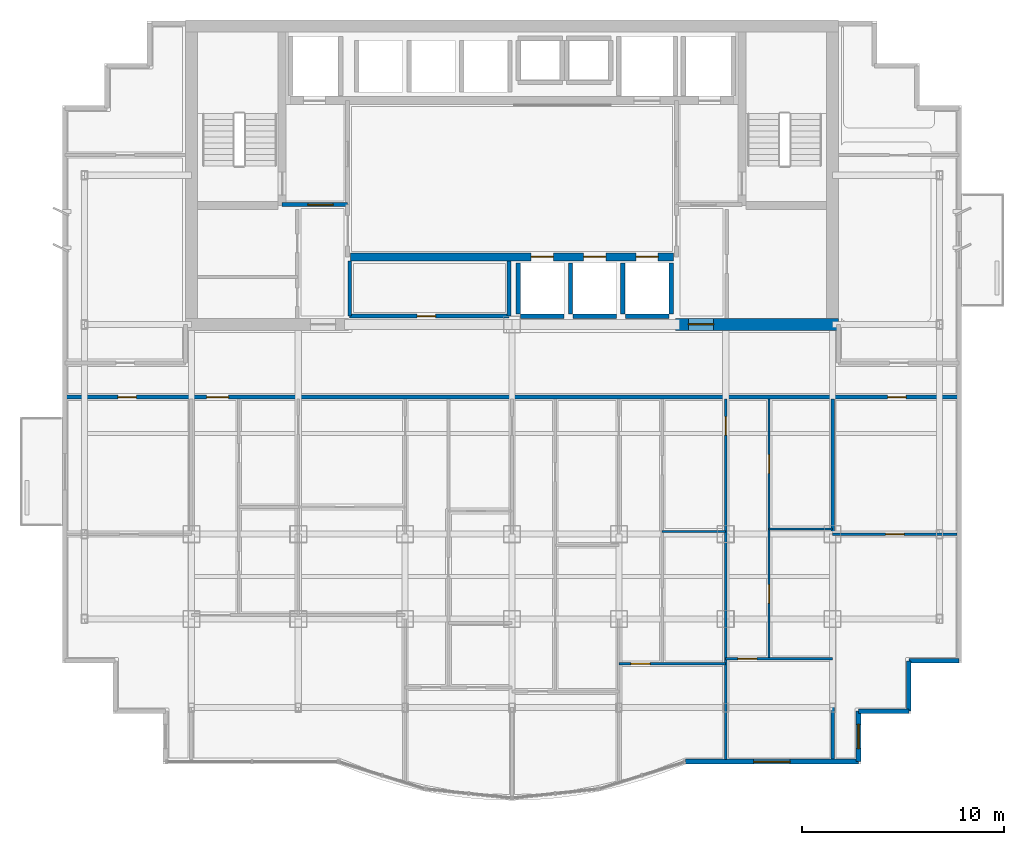
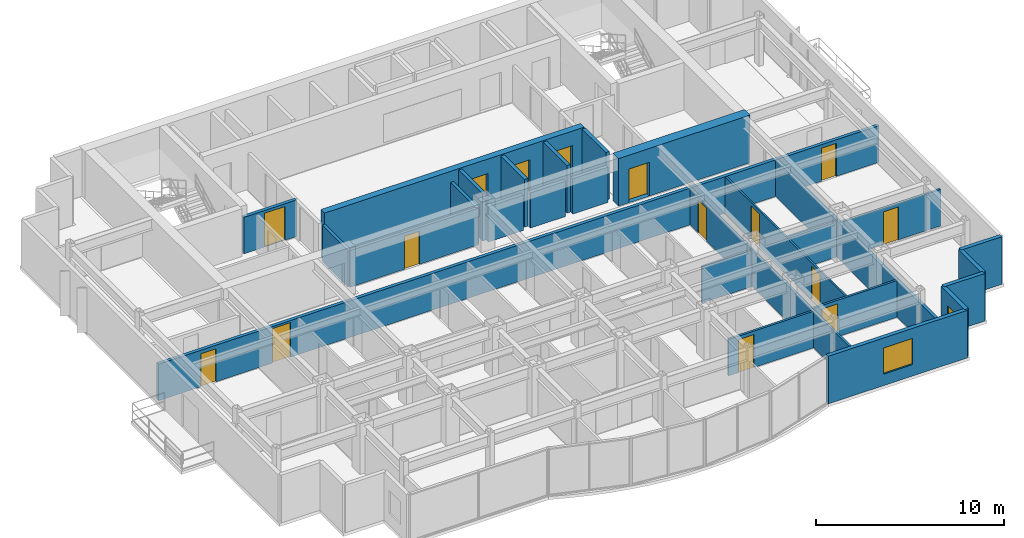
# One storey, part 7 of 11: 27 walls, 15 doors, 2 windows, 17 openings.
"""IFC4 building model written with IfcOpenShell, lengths in metres."""

from ifc_helpers import new_model, si_unit, direction, frame, frame_2d, origin, place, context, subcontext, project, spatial, rectangle, extrude, material, layer, layer_set, type_object, element, fill, save


model = new_model("IFC4")

# Units and contexts
model_context = context("Model", 3, precision=1e-05, world=origin(), true_north=direction((0.0, 1.0)))
body_context = subcontext(model_context, "Body", "Model", "MODEL_VIEW")
ifc_project = project(units=[si_unit("LENGTHUNIT", "METRE"), si_unit("AREAUNIT", "SQUARE_METRE"), si_unit("VOLUMEUNIT", "CUBIC_METRE"), si_unit("PLANEANGLEUNIT", "RADIAN"), si_unit("MASSUNIT", "GRAM", prefix="KILO")], contexts=[model_context])

# Site, building, storey
site_placement = place(None, origin())
site = spatial("IfcSite", under=ifc_project, at=site_placement, CompositionType="ELEMENT")
building_placement = place(site_placement, origin())
building = spatial("IfcBuilding", under=site, at=building_placement, Name="Qianlan Lanfeng Residences", CompositionType="ELEMENT")
storey_placement = place(building_placement, frame((0.0, 0.0, 172.199951171875)))
storey = spatial("IfcBuildingStorey", under=building, at=storey_placement, Name="L47", CompositionType="ELEMENT", Elevation=172.199951171875)

# Wall, openings, doors
ifc_material_1 = material(Name="Concrete C56", Category="concrete")
ifc_layer_1 = layer(ifc_material_1, 0.39990234375)
ifc_layer_set_1 = layer_set([ifc_layer_1], Name="Concrete C56")
wall_type_1 = type_object("IfcWallType", Name="CW-RC-400", PredefinedType="SHEAR", material=ifc_layer_set_1)
wall_1_placement = place(storey_placement, frame((18.5, 28.550048828125, 0.0), z_axis=(0.0, 0.0, 1.0), x_axis=(1.0, 0.0, 0.0)))
wall_1 = element("IfcWall", 1, at=wall_1_placement, inside=storey, type_object=wall_type_1, Name="L47 Core Shear Wall LBS", PredefinedType="SHEAR", context=body_context, shape_type="SweptSolid", body=[
    extrude(rectangle(XDim=16.0, YDim=0.39990234375, at=frame_2d((8.0, 0.0))), origin(), (0.0, 0.0, 1.0), 3.10009765625),
])
opening_1_placement = place(wall_1_placement, frame((8.949951171875, 0.0, 0.0)))
opening_1 = element("IfcOpeningElement", 2, at=opening_1_placement, cuts=wall_1, Name="Opening L47-LD-PL-M1", PredefinedType="OPENING", context=body_context, shape_type="SweptSolid", body=[
    extrude(rectangle(XDim=1.10009765625, YDim=2.14990234375, at=frame_2d((0.550048828125, 1.074951171875))), frame((0.0, 0.2099609375, 0.0), z_axis=(0.0, -1.0, 0.0), x_axis=(1.0, 0.0, 0.0)), (0.0, 0.0, 1.0), 0.419921875),
])
opening_2_placement = place(wall_1_placement, frame((11.550048828125, 0.0, 0.0)))
opening_2 = element("IfcOpeningElement", 3, at=opening_2_placement, cuts=wall_1, Name="Opening L47-LD-PL-M2", PredefinedType="OPENING", context=body_context, shape_type="SweptSolid", body=[
    extrude(rectangle(XDim=1.10009765625, YDim=2.14990234375, at=frame_2d((0.550048828125, 1.074951171875))), frame((0.0, 0.2099609375, 0.0), z_axis=(0.0, -1.0, 0.0), x_axis=(1.0, 0.0, 0.0)), (0.0, 0.0, 1.0), 0.419921875),
])
opening_3_placement = place(wall_1_placement, frame((14.14990234375, 0.0, 0.0)))
opening_3 = element("IfcOpeningElement", 4, at=opening_3_placement, cuts=wall_1, Name="Opening L47-LD-PL-M3", PredefinedType="OPENING", context=body_context, shape_type="SweptSolid", body=[
    extrude(rectangle(XDim=1.10009765625, YDim=2.14990234375, at=frame_2d((0.550048828125, 1.074951171875))), frame((0.0, 0.2099609375, 0.0), z_axis=(0.0, -1.0, 0.0), x_axis=(1.0, 0.0, 0.0)), (0.0, 0.0, 1.0), 0.419921875),
])
ifc_material_2 = material(Name="Brushed Stainless Steel Sliding Lift Door", Category="steel")
door_type_1 = type_object("IfcDoorType", Name="LD-01", OperationType="NOTDEFINED", PredefinedType="DOOR", material=ifc_material_2)
door_1_placement = place(opening_1_placement, origin())
door_1 = element("IfcDoor", 5, at=door_1_placement, inside=storey, type_object=door_type_1, Name="L47 Elevator PL-M1 Sliding Landing Door", OperationType="DOUBLE_DOOR_SLIDING", OverallHeight=2.14990234375, OverallWidth=1.10009765625, PredefinedType="DOOR", context=body_context, shape_type="SweptSolid", body=[
    extrude(rectangle(XDim=1.10009765625, YDim=2.14990234375, at=frame_2d((0.550048828125, 1.074951171875))), frame((0.0, 0.02490234375, 0.0), z_axis=(0.0, -1.0, 0.0), x_axis=(1.0, 0.0, 0.0)), (0.0, 0.0, 1.0), 0.050048828125),
])
fill(opening_1, door_1)
door_2_placement = place(opening_2_placement, origin())
door_2 = element("IfcDoor", 6, at=door_2_placement, inside=storey, type_object=door_type_1, Name="L47 Elevator PL-M2 Sliding Landing Door", OperationType="DOUBLE_DOOR_SLIDING", OverallHeight=2.14990234375, OverallWidth=1.10009765625, PredefinedType="DOOR", context=body_context, shape_type="SweptSolid", body=[
    extrude(rectangle(XDim=1.10009765625, YDim=2.14990234375, at=frame_2d((0.550048828125, 1.074951171875))), frame((0.0, 0.02490234375, 0.0), z_axis=(0.0, -1.0, 0.0), x_axis=(1.0, 0.0, 0.0)), (0.0, 0.0, 1.0), 0.050048828125),
])
fill(opening_2, door_2)
door_3_placement = place(opening_3_placement, origin())
door_3 = element("IfcDoor", 7, at=door_3_placement, inside=storey, type_object=door_type_1, Name="L47 Elevator PL-M3 Sliding Landing Door", OperationType="DOUBLE_DOOR_SLIDING", OverallHeight=2.14990234375, OverallWidth=1.10009765625, PredefinedType="DOOR", context=body_context, shape_type="SweptSolid", body=[
    extrude(rectangle(XDim=1.10009765625, YDim=2.14990234375, at=frame_2d((0.550048828125, 1.074951171875))), frame((0.0, 0.02490234375, 0.0), z_axis=(0.0, -1.0, 0.0), x_axis=(1.0, 0.0, 0.0)), (0.0, 0.0, 1.0), 0.050048828125),
])
fill(opening_3, door_3)

# Wall, opening, door
ifc_layer_2 = layer(ifc_material_1, 0.60009765625)
ifc_layer_set_2 = layer_set([ifc_layer_2], Name="Concrete C56")
wall_type_2 = type_object("IfcWallType", Name="CW-RC-600", PredefinedType="SHEAR", material=ifc_layer_set_2)
wall_2_placement = place(storey_placement, frame((34.60009765625, 25.199951171875, 0.0), z_axis=(0.0, 0.0, 1.0), x_axis=(1.0, 0.0, 0.0)))
wall_2 = element("IfcWall", 8, at=wall_2_placement, inside=storey, type_object=wall_type_2, Name="L47 Core Shear Wall SE", PredefinedType="SHEAR", context=body_context, shape_type="SweptSolid", body=[
    extrude(rectangle(XDim=8.099853515625, YDim=0.60009765625, at=frame_2d((4.0498046875, 0.0))), origin(), (0.0, 0.0, 1.0), 3.10009765625),
])
opening_4_placement = place(wall_2_placement, frame((0.64990234375, 0.0, 0.0)))
opening_4 = element("IfcOpeningElement", 9, at=opening_4_placement, cuts=wall_2, Name="Opening L47-D02", PredefinedType="OPENING", context=body_context, shape_type="SweptSolid", body=[
    extrude(rectangle(XDim=1.25, YDim=2.199951171875, at=frame_2d((0.625, 1.10009765625))), frame((0.0, 0.31005859375, 0.0), z_axis=(0.0, -1.0, 0.0), x_axis=(1.0, 0.0, 0.0)), (0.0, 0.0, 1.0), 0.6201171875),
])
ifc_material_3 = material(Name="Painted Galvanised Steel Fire Door", Category="steel")
door_type_2 = type_object("IfcDoorType", Name="DT-FFL", OperationType="NOTDEFINED", PredefinedType="DOOR", material=ifc_material_3)
door_4_placement = place(opening_4_placement, frame((1.25, 0.0, 0.0), z_axis=(0.0, 0.0, 1.0), x_axis=(-1.0, 0.0, 0.0)))
door_4 = element("IfcDoor", 10, at=door_4_placement, inside=storey, type_object=door_type_2, Name="L47 East Core Lobby Smoke Door L47-D02 (DT-FFL)", OperationType="SINGLE_SWING_LEFT", OverallHeight=2.199951171875, OverallWidth=1.25, PredefinedType="DOOR", context=body_context, shape_type="SweptSolid", body=[
    extrude(rectangle(XDim=1.25, YDim=2.199951171875, at=frame_2d((0.625, 1.10009765625))), frame((0.0, 0.02490234375, 0.0), z_axis=(0.0, -1.0, 0.0), x_axis=(1.0, 0.0, 0.0)), (0.0, 0.0, 1.0), 0.050048828125),
])
fill(opening_4, door_4)

# Wall, opening, window
ifc_material_4 = material(Name="Concrete C42", Category="concrete")
ifc_layer_3 = layer(ifc_material_4, 0.239990234375)
ifc_layer_set_3 = layer_set([ifc_layer_3], Name="Concrete C42")
wall_type_3 = type_object("IfcWallType", Name="EW-240", PredefinedType="SOLIDWALL", material=ifc_layer_set_3)
wall_3_placement = place(storey_placement, frame((35.096923828125, 3.52001953125, 0.0), z_axis=(0.0, 0.0, 1.0), x_axis=(1.0, 0.0, 0.0)))
wall_3 = element("IfcWall", 11, at=wall_3_placement, inside=storey, type_object=wall_type_3, Name="L47 Exterior Facade Spandrel Wall 5", PredefinedType="SOLIDWALL", context=body_context, shape_type="SweptSolid", body=[
    extrude(rectangle(XDim=8.5830078125, YDim=0.239990234375, at=frame_2d((4.29150390625, 0.0))), origin(), (0.0, 0.0, 1.0), 3.10009765625),
])
opening_5_placement = place(wall_3_placement, frame((3.39111328125, 0.0, 0.75)))
opening_5 = element("IfcOpeningElement", 12, at=opening_5_placement, cuts=wall_3, Name="Opening W-01", PredefinedType="OPENING", context=body_context, shape_type="SweptSolid", body=[
    extrude(rectangle(XDim=1.800048828125, YDim=1.699951171875, at=frame_2d((0.89990234375, 0.85009765625))), frame((0.0, 0.1298828125, 0.0), z_axis=(0.0, -1.0, 0.0), x_axis=(1.0, 0.0, 0.0)), (0.0, 0.0, 1.0), 0.260009765625),
])
ifc_material_5 = material(Name="Anodised Bronze Aluminium Framed Double Glazing", Category="aluminium")
window_type_1 = type_object("IfcWindowType", Name="W-01", PartitioningType="SINGLE_PANEL", PredefinedType="WINDOW", material=ifc_material_5)
window_1_placement = place(opening_5_placement, origin())
window_1 = element("IfcWindow", 13, at=window_1_placement, inside=storey, type_object=window_type_1, Name="L47 Facade Punched Window W-01", OverallHeight=1.699951171875, OverallWidth=1.800048828125, PartitioningType="SINGLE_PANEL", PredefinedType="WINDOW", context=body_context, shape_type="SweptSolid", body=[
    extrude(rectangle(XDim=1.800048828125, YDim=1.699951171875, at=frame_2d((0.89990234375, 0.85009765625))), frame((0.0, 0.030029296875, 0.0), z_axis=(0.0, -1.0, 0.0), x_axis=(1.0, 0.0, 0.0)), (0.0, 0.0, 1.0), 0.06005859375),
])
fill(opening_5, window_1)

wall_4_placement = place(storey_placement, frame((43.679931640625, 3.52001953125, 0.0), z_axis=(0.0, 0.0, 1.0), x_axis=(0.0, 1.0, 0.0)))
wall_4 = element("IfcWall", 14, at=wall_4_placement, inside=storey, type_object=wall_type_3, Name="L47 Exterior Facade Spandrel Wall 6", PredefinedType="SOLIDWALL", context=body_context, shape_type="SweptSolid", body=[
    extrude(rectangle(XDim=2.5, YDim=0.239990234375, at=frame_2d((1.25, 0.0))), origin(), (0.0, 0.0, 1.0), 3.10009765625),
])
opening_6_placement = place(wall_4_placement, frame((0.64990234375, 0.0, 0.75)))
opening_6 = element("IfcOpeningElement", 15, at=opening_6_placement, cuts=wall_4, Name="Opening W-03", PredefinedType="OPENING", context=body_context, shape_type="SweptSolid", body=[
    extrude(rectangle(XDim=1.199951171875, YDim=1.5, at=frame_2d((0.60009765625, 0.75))), frame((0.0, 0.1298828125, 0.0), z_axis=(0.0, -1.0, 0.0), x_axis=(1.0, 0.0, 0.0)), (0.0, 0.0, 1.0), 0.260009765625),
])
window_type_2 = type_object("IfcWindowType", Name="W-03", PartitioningType="SINGLE_PANEL", PredefinedType="WINDOW", material=ifc_material_5)
window_2_placement = place(opening_6_placement, origin())
window_2 = element("IfcWindow", 16, at=window_2_placement, inside=storey, type_object=window_type_2, Name="L47 Facade Punched Window W-03", OverallHeight=1.5, OverallWidth=1.199951171875, PartitioningType="SINGLE_PANEL", PredefinedType="WINDOW", context=body_context, shape_type="SweptSolid", body=[
    extrude(rectangle(XDim=1.199951171875, YDim=1.5, at=frame_2d((0.60009765625, 0.75))), frame((0.0, 0.030029296875, 0.0), z_axis=(0.0, -1.0, 0.0), x_axis=(1.0, 0.0, 0.0)), (0.0, 0.0, 1.0), 0.06005859375),
])
fill(opening_6, window_2)

# Walls
for number, where, z_axis, x_axis, name in (
    (17, (43.679931640625, 6.02001953125, 0.0), (0.0, 0.0, 1.0), (1.0, 0.0, 0.0), "L47 Exterior Facade Spandrel Wall 7"),
    (18, (46.179931640625, 6.02001953125, 0.0), (0.0, 0.0, 1.0), (0.0, 1.0, 0.0), "L47 Exterior Facade Spandrel Wall 8"),
    (19, (46.179931640625, 8.52001953125, 0.0), (0.0, 0.0, 1.0), (1.0, 0.0, 0.0), "L47 Exterior Facade Spandrel Wall 9"),
):
    element("IfcWall", number, at=place(storey_placement, frame(where, z_axis=z_axis, x_axis=x_axis)), inside=storey, type_object=wall_type_3, Name=name, PredefinedType="SOLIDWALL", context=body_context, shape_type="SweptSolid", body=[
        extrude(rectangle(XDim=2.5, YDim=0.239990234375, at=frame_2d((1.25, 0.0))), origin(), (0.0, 0.0, 1.0), 3.10009765625),
    ])
ifc_material_6 = material(Name="Demountable Acoustic Framing Partition 110 mm")
ifc_layer_4 = layer(ifc_material_6, 0.110107421875)
ifc_layer_set_4 = layer_set([ifc_layer_4], Name="Demountable Acoustic Framing Partition 110 mm")
wall_type_4 = type_object("IfcWallType", Name="PW-110", PredefinedType="MOVABLE", material=ifc_layer_set_4)
wall_5_placement = place(storey_placement, frame((33.949951171875, 14.93701171875, 0.0), z_axis=(0.0, 0.0, 1.0), x_axis=(1.0, 0.0, 0.0)))
element("IfcWall", 20, at=wall_5_placement, inside=storey, type_object=wall_type_4, Name="L47 U01 Specialty Split Wall", PredefinedType="MOVABLE", context=body_context, shape_type="SweptSolid", body=[
    extrude(rectangle(XDim=3.150146484375, YDim=0.110107421875, at=frame_2d((1.5751953125, 0.0))), origin(), (0.0, 0.0, 1.0), 2.380126953125),
])

# Wall, openings, doors
wall_6_placement = place(storey_placement, frame((39.25, 8.6201171875, 0.0), z_axis=(0.0, 0.0, 1.0), x_axis=(0.0, 1.0, 0.0)))
wall_6 = element("IfcWall", 21, at=wall_6_placement, inside=storey, type_object=wall_type_4, Name="L47 U01 Bedroom 5 Hall Wall", PredefinedType="MOVABLE", context=body_context, shape_type="SweptSolid", body=[
    extrude(rectangle(XDim=12.8798828125, YDim=0.110107421875, at=frame_2d((6.43994140625, 0.0))), origin(), (0.0, 0.0, 1.0), 2.380126953125),
])
opening_7_placement = place(wall_6_placement, frame((2.760009765625, 0.0, 0.0)))
opening_7 = element("IfcOpeningElement", 22, at=opening_7_placement, cuts=wall_6, Name="Opening L47-D36", PredefinedType="OPENING", context=body_context, shape_type="SweptSolid", body=[
    extrude(rectangle(XDim=0.919921875, YDim=2.14990234375, at=frame_2d((0.4599609375, 1.074951171875))), frame((0.0, 0.06494140625, 0.0), z_axis=(0.0, -1.0, 0.0), x_axis=(1.0, 0.0, 0.0)), (0.0, 0.0, 1.0), 0.130126953125),
])
opening_8_placement = place(wall_6_placement, frame((9.199951171875, 0.0, 0.0)))
opening_8 = element("IfcOpeningElement", 23, at=opening_8_placement, cuts=wall_6, Name="Opening L47-D37", PredefinedType="OPENING", context=body_context, shape_type="SweptSolid", body=[
    extrude(rectangle(XDim=0.919921875, YDim=2.14990234375, at=frame_2d((0.4599609375, 1.074951171875))), frame((0.0, 0.06494140625, 0.0), z_axis=(0.0, -1.0, 0.0), x_axis=(1.0, 0.0, 0.0)), (0.0, 0.0, 1.0), 0.130126953125),
])
ifc_material_7 = material(Name="Glazed Timber Kitchen/Study Door", Category="wood")
door_type_3 = type_object("IfcDoorType", Name="DT-INT", OperationType="NOTDEFINED", PredefinedType="DOOR", material=ifc_material_7)
door_5_placement = place(opening_7_placement, origin())
door_5 = element("IfcDoor", 24, at=door_5_placement, inside=storey, type_object=door_type_3, Name="L47 U01 Utility Door L47-D36 (DT-INT)", OperationType="SINGLE_SWING_RIGHT", OverallHeight=2.14990234375, OverallWidth=0.919921875, PredefinedType="DOOR", context=body_context, shape_type="SweptSolid", body=[
    extrude(rectangle(XDim=0.919921875, YDim=2.14990234375, at=frame_2d((0.4599609375, 1.074951171875))), frame((0.0, 0.02490234375, 0.0), z_axis=(0.0, -1.0, 0.0), x_axis=(1.0, 0.0, 0.0)), (0.0, 0.0, 1.0), 0.050048828125),
])
fill(opening_7, door_5)
door_6_placement = place(opening_8_placement, origin())
door_6 = element("IfcDoor", 25, at=door_6_placement, inside=storey, type_object=door_type_3, Name="L47 U01 Specialty Door L47-D37 (DT-INT)", OperationType="SINGLE_SWING_LEFT", OverallHeight=2.14990234375, OverallWidth=0.919921875, PredefinedType="DOOR", context=body_context, shape_type="SweptSolid", body=[
    extrude(rectangle(XDim=0.919921875, YDim=2.14990234375, at=frame_2d((0.4599609375, 1.074951171875))), frame((0.0, 0.02490234375, 0.0), z_axis=(0.0, -1.0, 0.0), x_axis=(1.0, 0.0, 0.0)), (0.0, 0.0, 1.0), 0.050048828125),
])
fill(opening_8, door_6)

# Wall
wall_7_placement = place(storey_placement, frame((39.25, 15.06005859375, 0.0), z_axis=(0.0, 0.0, 1.0), x_axis=(1.0, 0.0, 0.0)))
element("IfcWall", 26, at=wall_7_placement, inside=storey, type_object=wall_type_4, Name="L47 U01 Specialty Split Wall", PredefinedType="MOVABLE", context=body_context, shape_type="SweptSolid", body=[
    extrude(rectangle(XDim=3.14990234375, YDim=0.110107421875, at=frame_2d((1.574951171875, 0.0))), origin(), (0.0, 0.0, 1.0), 2.380126953125),
])

# Wall, opening, door
ifc_material_8 = material(Name="Moisture-Resistant Gypsum Partition 135 mm")
ifc_layer_5 = layer(ifc_material_8, 0.135009765625)
ifc_layer_set_5 = layer_set([ifc_layer_5], Name="Moisture-Resistant Gypsum Partition 135 mm")
wall_type_5 = type_object("IfcWallType", Name="PW-135", PredefinedType="PARTITIONING", material=ifc_layer_set_5)
wall_8_placement = place(storey_placement, frame((37.10009765625, 3.6201171875, 0.0), z_axis=(0.0, 0.0, 1.0), x_axis=(0.0, 1.0, 0.0)))
wall_8 = element("IfcWall", 27, at=wall_8_placement, inside=storey, type_object=wall_type_5, Name="L47 U01 Bay Spine Wall 5", PredefinedType="PARTITIONING", context=body_context, shape_type="SweptSolid", body=[
    extrude(rectangle(XDim=17.8798828125, YDim=0.135009765625, at=frame_2d((8.93994140625, 0.0))), origin(), (0.0, 0.0, 1.0), 2.380126953125),
])
opening_9_placement = place(wall_8_placement, frame((16.094970703125, 0.0, 0.0)))
opening_9 = element("IfcOpeningElement", 28, at=opening_9_placement, cuts=wall_8, Name="Opening L47-D20", PredefinedType="OPENING", context=body_context, shape_type="SweptSolid", body=[
    extrude(rectangle(XDim=0.919921875, YDim=2.14990234375, at=frame_2d((0.4599609375, 1.074951171875))), frame((0.0, 0.07763671875, 0.0), z_axis=(0.0, -1.0, 0.0), x_axis=(1.0, 0.0, 0.0)), (0.0, 0.0, 1.0), 0.155029296875),
])
door_7_placement = place(opening_9_placement, origin())
door_7 = element("IfcDoor", 29, at=door_7_placement, inside=storey, type_object=door_type_3, Name="L47 U01 Internal Hall Door L47-D20 (DT-INT)", OperationType="SINGLE_SWING_RIGHT", OverallHeight=2.14990234375, OverallWidth=0.919921875, PredefinedType="DOOR", context=body_context, shape_type="SweptSolid", body=[
    extrude(rectangle(XDim=0.919921875, YDim=2.14990234375, at=frame_2d((0.4599609375, 1.074951171875))), frame((0.0, 0.02490234375, 0.0), z_axis=(0.0, -1.0, 0.0), x_axis=(1.0, 0.0, 0.0)), (0.0, 0.0, 1.0), 0.050048828125),
])
fill(opening_9, door_7)

wall_9_placement = place(storey_placement, frame((31.800048828125, 8.3740234375, 0.0), z_axis=(0.0, 0.0, 1.0), x_axis=(1.0, 0.0, 0.0)))
wall_9 = element("IfcWall", 30, at=wall_9_placement, inside=storey, type_object=wall_type_5, Name="L47 U01 Bedroom 4 North Wall", PredefinedType="PARTITIONING", context=body_context, shape_type="SweptSolid", body=[
    extrude(rectangle(XDim=5.300048828125, YDim=0.135009765625, at=frame_2d((2.64990234375, 0.0))), origin(), (0.0, 0.0, 1.0), 2.380126953125),
])
opening_10_placement = place(wall_9_placement, frame((0.60009765625, 0.0, 0.0)))
opening_10 = element("IfcOpeningElement", 31, at=opening_10_placement, cuts=wall_9, Name="Opening L47-D32", PredefinedType="OPENING", context=body_context, shape_type="SweptSolid", body=[
    extrude(rectangle(XDim=0.949951171875, YDim=2.14990234375, at=frame_2d((0.47509765625, 1.074951171875))), frame((0.0, 0.07763671875, 0.0), z_axis=(0.0, -1.0, 0.0), x_axis=(1.0, 0.0, 0.0)), (0.0, 0.0, 1.0), 0.155029296875),
])
ifc_material_9 = material(Name="Painted Solid-Core Timber Leaf", Category="wood")
door_type_4 = type_object("IfcDoorType", Name="DT-BED", OperationType="NOTDEFINED", PredefinedType="DOOR", material=ifc_material_9)
door_8_placement = place(opening_10_placement, frame((0.949951171875, 0.0, 0.0), z_axis=(0.0, 0.0, 1.0), x_axis=(-1.0, 0.0, 0.0)))
door_8 = element("IfcDoor", 32, at=door_8_placement, inside=storey, type_object=door_type_4, Name="L47 U01 Bedroom 4 Door L47-D32 (DT-BED)", OperationType="SINGLE_SWING_RIGHT", OverallHeight=2.14990234375, OverallWidth=0.949951171875, PredefinedType="DOOR", context=body_context, shape_type="SweptSolid", body=[
    extrude(rectangle(XDim=0.949951171875, YDim=2.14990234375, at=frame_2d((0.47509765625, 1.074951171875))), frame((0.0, 0.02490234375, 0.0), z_axis=(0.0, -1.0, 0.0), x_axis=(1.0, 0.0, 0.0)), (0.0, 0.0, 1.0), 0.050048828125),
])
fill(opening_10, door_8)

wall_10_placement = place(storey_placement, frame((37.10009765625, 8.6201171875, 0.0), z_axis=(0.0, 0.0, 1.0), x_axis=(1.0, 0.0, 0.0)))
wall_10 = element("IfcWall", 33, at=wall_10_placement, inside=storey, type_object=wall_type_5, Name="L47 U01 Bedroom 5 North Wall", PredefinedType="PARTITIONING", context=body_context, shape_type="SweptSolid", body=[
    extrude(rectangle(XDim=5.2998046875, YDim=0.135009765625, at=frame_2d((2.64990234375, 0.0))), origin(), (0.0, 0.0, 1.0), 2.380126953125),
])
opening_11_placement = place(wall_10_placement, frame((0.60009765625, 0.0, 0.0)))
opening_11 = element("IfcOpeningElement", 34, at=opening_11_placement, cuts=wall_10, Name="Opening L47-D35", PredefinedType="OPENING", context=body_context, shape_type="SweptSolid", body=[
    extrude(rectangle(XDim=0.949951171875, YDim=2.14990234375, at=frame_2d((0.47509765625, 1.074951171875))), frame((0.0, 0.07763671875, 0.0), z_axis=(0.0, -1.0, 0.0), x_axis=(1.0, 0.0, 0.0)), (0.0, 0.0, 1.0), 0.155029296875),
])
door_9_placement = place(opening_11_placement, frame((0.949951171875, 0.0, 0.0), z_axis=(0.0, 0.0, 1.0), x_axis=(-1.0, 0.0, 0.0)))
door_9 = element("IfcDoor", 35, at=door_9_placement, inside=storey, type_object=door_type_4, Name="L47 U01 Bedroom 5 Door L47-D35 (DT-BED)", OperationType="SINGLE_SWING_RIGHT", OverallHeight=2.14990234375, OverallWidth=0.949951171875, PredefinedType="DOOR", context=body_context, shape_type="SweptSolid", body=[
    extrude(rectangle(XDim=0.949951171875, YDim=2.14990234375, at=frame_2d((0.47509765625, 1.074951171875))), frame((0.0, 0.02490234375, 0.0), z_axis=(0.0, -1.0, 0.0), x_axis=(1.0, 0.0, 0.0)), (0.0, 0.0, 1.0), 0.050048828125),
])
fill(opening_11, door_9)

wall_11_placement = place(storey_placement, frame((42.39990234375, 14.800048828125, 0.0), z_axis=(0.0, 0.0, 1.0), x_axis=(1.0, 0.0, 0.0)))
wall_11 = element("IfcWall", 36, at=wall_11_placement, inside=storey, type_object=wall_type_5, Name="L47 SEP Mid Partition", PredefinedType="PARTITIONING", context=body_context, shape_type="SweptSolid", body=[
    extrude(rectangle(XDim=6.18017578125, YDim=0.135009765625, at=frame_2d((3.090087890625, 0.0))), origin(), (0.0, 0.0, 1.0), 2.380126953125),
])
opening_12_placement = place(wall_11_placement, frame((2.6298828125, 0.0, 0.0)))
opening_12 = element("IfcOpeningElement", 37, at=opening_12_placement, cuts=wall_11, Name="Opening L47-D40", PredefinedType="OPENING", context=body_context, shape_type="SweptSolid", body=[
    extrude(rectangle(XDim=0.919921875, YDim=2.14990234375, at=frame_2d((0.4599609375, 1.074951171875))), frame((0.0, 0.07763671875, 0.0), z_axis=(0.0, -1.0, 0.0), x_axis=(1.0, 0.0, 0.0)), (0.0, 0.0, 1.0), 0.155029296875),
])
door_10_placement = place(opening_12_placement, origin())
door_10 = element("IfcDoor", 38, at=door_10_placement, inside=storey, type_object=door_type_3, Name="L47 SEP Inner Door L47-D40 (DT-INT)", OperationType="SINGLE_SWING_RIGHT", OverallHeight=2.14990234375, OverallWidth=0.919921875, PredefinedType="DOOR", context=body_context, shape_type="SweptSolid", body=[
    extrude(rectangle(XDim=0.919921875, YDim=2.14990234375, at=frame_2d((0.4599609375, 1.074951171875))), frame((0.0, 0.02490234375, 0.0), z_axis=(0.0, -1.0, 0.0), x_axis=(1.0, 0.0, 0.0)), (0.0, 0.0, 1.0), 0.050048828125),
])
fill(opening_12, door_10)

# Walls
ifc_material_10 = material(Name="Double-Layer Acoustic Gypsum Stud Wall 180 mm")
ifc_layer_6 = layer(ifc_material_10, 0.179931640625)
ifc_layer_set_6 = layer_set([ifc_layer_6], Name="Double-Layer Acoustic Gypsum Stud Wall 180 mm")
wall_type_6 = type_object("IfcWallType", Name="PW-180", PredefinedType="PARTITIONING", material=ifc_layer_set_6)
for number, where, z_axis, x_axis, name in (
    (39, (18.449951171875, 25.6201171875, 0.0), (0.0, 0.0, 1.0), (0.0, 1.0, 0.0), "L47 Reclaimed Low-Bank Room West Wall"),
    (40, (26.35009765625, 25.6201171875, 0.0), (0.0, 0.0, 1.0), (0.0, 1.0, 0.0), "L47 Reclaimed Low-Bank Room East Wall"),
):
    element("IfcWall", number, at=place(storey_placement, frame(where, z_axis=z_axis, x_axis=x_axis)), inside=storey, type_object=wall_type_6, Name=name, PredefinedType="PARTITIONING", context=body_context, shape_type="SweptSolid", body=[
        extrude(rectangle(XDim=2.72998046875, YDim=0.179931640625, at=frame_2d((1.364990234375, 0.0))), origin(), (0.0, 0.0, 1.0), 2.380126953125),
    ])

# Wall, opening, door
wall_12_placement = place(storey_placement, frame((18.449951171875, 25.6201171875, 0.0), z_axis=(0.0, 0.0, 1.0), x_axis=(1.0, 0.0, 0.0)))
wall_12 = element("IfcWall", 41, at=wall_12_placement, inside=storey, type_object=wall_type_6, Name="L47 Reclaimed Low-Bank Room South Wall", PredefinedType="PARTITIONING", context=body_context, shape_type="SweptSolid", body=[
    extrude(rectangle(XDim=7.900146484375, YDim=0.179931640625, at=frame_2d((3.9501953125, 0.0))), origin(), (0.0, 0.0, 1.0), 2.380126953125),
])
opening_13_placement = place(wall_12_placement, frame((3.340087890625, 0.0, 0.0)))
opening_13 = element("IfcOpeningElement", 42, at=opening_13_placement, cuts=wall_12, Name="Opening L47-D14", PredefinedType="OPENING", context=body_context, shape_type="SweptSolid", body=[
    extrude(rectangle(XDim=0.919921875, YDim=2.14990234375, at=frame_2d((0.4599609375, 1.074951171875))), frame((0.0, 0.10009765625, 0.0), z_axis=(0.0, -1.0, 0.0), x_axis=(1.0, 0.0, 0.0)), (0.0, 0.0, 1.0), 0.199951171875),
])
door_11_placement = place(opening_13_placement, origin())
door_11 = element("IfcDoor", 43, at=door_11_placement, inside=storey, type_object=door_type_3, Name="L47 Reclaimed Core Salon Door L47-D14 (DT-INT)", OperationType="SINGLE_SWING_RIGHT", OverallHeight=2.14990234375, OverallWidth=0.919921875, PredefinedType="DOOR", context=body_context, shape_type="SweptSolid", body=[
    extrude(rectangle(XDim=0.919921875, YDim=2.14990234375, at=frame_2d((0.4599609375, 1.074951171875))), frame((0.0, 0.02490234375, 0.0), z_axis=(0.0, -1.0, 0.0), x_axis=(1.0, 0.0, 0.0)), (0.0, 0.0, 1.0), 0.050048828125),
])
fill(opening_13, door_11)

# Wall
wall_13_placement = place(storey_placement, frame((42.39990234375, 3.6201171875, 0.0), z_axis=(0.0, 0.0, 1.0), x_axis=(0.0, 1.0, 0.0)))
element("IfcWall", 44, at=wall_13_placement, inside=storey, type_object=wall_type_6, Name="L47 Wing Boundary Party Wall E0", PredefinedType="PARTITIONING", context=body_context, shape_type="SweptSolid", body=[
    extrude(rectangle(XDim=17.8798828125, YDim=0.179931640625, at=frame_2d((8.93994140625, 0.0))), origin(), (0.0, 0.0, 1.0), 2.380126953125),
])

# Wall, opening, door
ifc_material_11 = material(Name="Autoclaved Aerated Concrete Blockwork 200 mm", Category="masonry")
ifc_layer_7 = layer(ifc_material_11, 0.199951171875)
ifc_layer_set_7 = layer_set([ifc_layer_7], Name="Autoclaved Aerated Concrete Blockwork 200 mm")
wall_type_7 = type_object("IfcWallType", Name="PW-200", PredefinedType="PARTITIONING", material=ifc_layer_set_7)
wall_14_placement = place(storey_placement, frame((15.10009765625, 31.14990234375, 0.0), z_axis=(0.0, 0.0, 1.0), x_axis=(1.0, 0.0, 0.0)))
wall_14 = element("IfcWall", 45, at=wall_14_placement, inside=storey, type_object=wall_type_7, Name="L47 Firefighting Lobby 1 South Wall", PredefinedType="PARTITIONING", context=body_context, shape_type="SweptSolid", body=[
    extrude(rectangle(XDim=3.25, YDim=0.199951171875, at=frame_2d((1.625, 0.0))), origin(), (0.0, 0.0, 1.0), 2.380126953125),
])
opening_14_placement = place(wall_14_placement, frame((1.27490234375, 0.0, 0.0)))
opening_14 = element("IfcOpeningElement", 46, at=opening_14_placement, cuts=wall_14, Name="Opening L47-D03", PredefinedType="OPENING", context=body_context, shape_type="SweptSolid", body=[
    extrude(rectangle(XDim=1.25, YDim=2.199951171875, at=frame_2d((0.625, 1.10009765625))), frame((0.0, 0.10986328125, 0.0), z_axis=(0.0, -1.0, 0.0), x_axis=(1.0, 0.0, 0.0)), (0.0, 0.0, 1.0), 0.219970703125),
])
door_12_placement = place(opening_14_placement, origin())
door_12 = element("IfcDoor", 47, at=door_12_placement, inside=storey, type_object=door_type_2, Name="L47 Firefighting Lobby 1 Entry Door L47-D03 (DT-FFL)", OperationType="SINGLE_SWING_LEFT", OverallHeight=2.199951171875, OverallWidth=1.25, PredefinedType="DOOR", context=body_context, shape_type="SweptSolid", body=[
    extrude(rectangle(XDim=1.25, YDim=2.199951171875, at=frame_2d((0.625, 1.10009765625))), frame((0.0, 0.02490234375, 0.0), z_axis=(0.0, -1.0, 0.0), x_axis=(1.0, 0.0, 0.0)), (0.0, 0.0, 1.0), 0.050048828125),
])
fill(opening_14, door_12)

# Wall, openings, doors
wall_15_placement = place(storey_placement, frame((4.320068359375, 21.60009765625, 0.0), z_axis=(0.0, 0.0, 1.0), x_axis=(1.0, 0.0, 0.0)))
wall_15 = element("IfcWall", 48, at=wall_15_placement, inside=storey, type_object=wall_type_7, Name="L47 Residential Corridor South Fire Wall", PredefinedType="PARTITIONING", context=body_context, shape_type="SweptSolid", body=[
    extrude(rectangle(XDim=44.35986328125, YDim=0.199951171875, at=frame_2d((22.179931640625, 0.0))), origin(), (0.0, 0.0, 1.0), 2.380126953125),
])
opening_15_placement = place(wall_15_placement, frame((7.030029296875, 0.0, 0.0)))
opening_15 = element("IfcOpeningElement", 49, at=opening_15_placement, cuts=wall_15, Name="Opening L47-D15", PredefinedType="OPENING", context=body_context, shape_type="SweptSolid", body=[
    extrude(rectangle(XDim=1.10009765625, YDim=2.25, at=frame_2d((0.550048828125, 1.125))), frame((0.0, 0.10986328125, 0.0), z_axis=(0.0, -1.0, 0.0), x_axis=(1.0, 0.0, 0.0)), (0.0, 0.0, 1.0), 0.219970703125),
])
opening_16_placement = place(wall_15_placement, frame((2.635009765625, 0.0, 0.0)))
opening_16 = element("IfcOpeningElement", 50, at=opening_16_placement, cuts=wall_15, Name="Opening L47-D39", PredefinedType="OPENING", context=body_context, shape_type="SweptSolid", body=[
    extrude(rectangle(XDim=0.919921875, YDim=2.14990234375, at=frame_2d((0.4599609375, 1.074951171875))), frame((0.0, 0.10986328125, 0.0), z_axis=(0.0, -1.0, 0.0), x_axis=(1.0, 0.0, 0.0)), (0.0, 0.0, 1.0), 0.219970703125),
])
opening_17_placement = place(wall_15_placement, frame((40.804931640625, 0.0, 0.0)))
opening_17 = element("IfcOpeningElement", 51, at=opening_17_placement, cuts=wall_15, Name="Opening L47-D41", PredefinedType="OPENING", context=body_context, shape_type="SweptSolid", body=[
    extrude(rectangle(XDim=0.919921875, YDim=2.14990234375, at=frame_2d((0.4599609375, 1.074951171875))), frame((0.0, 0.10986328125, 0.0), z_axis=(0.0, -1.0, 0.0), x_axis=(1.0, 0.0, 0.0)), (0.0, 0.0, 1.0), 0.219970703125),
])
door_13_placement = place(opening_16_placement, origin())
door_13 = element("IfcDoor", 52, at=door_13_placement, inside=storey, type_object=door_type_3, Name="L47 SWP Corridor Door L47-D39 (DT-INT)", OperationType="SINGLE_SWING_LEFT", OverallHeight=2.14990234375, OverallWidth=0.919921875, PredefinedType="DOOR", context=body_context, shape_type="SweptSolid", body=[
    extrude(rectangle(XDim=0.919921875, YDim=2.14990234375, at=frame_2d((0.4599609375, 1.074951171875))), frame((0.0, 0.02490234375, 0.0), z_axis=(0.0, -1.0, 0.0), x_axis=(1.0, 0.0, 0.0)), (0.0, 0.0, 1.0), 0.050048828125),
])
fill(opening_16, door_13)
door_14_placement = place(opening_17_placement, origin())
door_14 = element("IfcDoor", 53, at=door_14_placement, inside=storey, type_object=door_type_3, Name="L47 SEP Corridor Door L47-D41 (DT-INT)", OperationType="SINGLE_SWING_LEFT", OverallHeight=2.14990234375, OverallWidth=0.919921875, PredefinedType="DOOR", context=body_context, shape_type="SweptSolid", body=[
    extrude(rectangle(XDim=0.919921875, YDim=2.14990234375, at=frame_2d((0.4599609375, 1.074951171875))), frame((0.0, 0.02490234375, 0.0), z_axis=(0.0, -1.0, 0.0), x_axis=(1.0, 0.0, 0.0)), (0.0, 0.0, 1.0), 0.050048828125),
])
fill(opening_17, door_14)
ifc_material_12 = material(Name="Solid-Core Oak Veneer Fire Door")
door_type_5 = type_object("IfcDoorType", Name="DT-UNIT", OperationType="NOTDEFINED", PredefinedType="DOOR", material=ifc_material_12)
door_15_placement = place(opening_15_placement, origin())
door_15 = element("IfcDoor", 54, at=door_15_placement, inside=storey, type_object=door_type_5, Name="L47 Apartment U01 Entrance Door L47-D15 (DT-UNIT)", OperationType="SINGLE_SWING_RIGHT", OverallHeight=2.25, OverallWidth=1.10009765625, PredefinedType="DOOR", context=body_context, shape_type="SweptSolid", body=[
    extrude(rectangle(XDim=1.10009765625, YDim=2.25, at=frame_2d((0.550048828125, 1.125))), frame((0.0, 0.02490234375, 0.0), z_axis=(0.0, -1.0, 0.0), x_axis=(1.0, 0.0, 0.0)), (0.0, 0.0, 1.0), 0.050048828125),
])
fill(opening_15, door_15)

# Walls
ifc_material_13 = material(Name="Concrete C49", Category="concrete")
ifc_layer_8 = layer(ifc_material_13, 0.219970703125)
ifc_layer_set_8 = layer_set([ifc_layer_8], Name="Concrete C49")
wall_type_8 = type_object("IfcWallType", Name="SHW-220", PredefinedType="SOLIDWALL", material=ifc_layer_set_8)
wall_16_placement = place(storey_placement, frame((26.800048828125, 25.719970703125, 0.0), z_axis=(0.0, 0.0, 1.0), x_axis=(0.0, 1.0, 0.0)))
element("IfcWall", 55, at=wall_16_placement, inside=storey, type_object=wall_type_8, Name="L47 Lift PL-M1 Shaft Wall W", PredefinedType="SOLIDWALL", context=body_context, shape_type="SweptSolid", body=[
    extrude(rectangle(XDim=2.530029296875, YDim=0.219970703125, at=frame_2d((1.26513671875, 0.0))), origin(), (0.0, 0.0, 1.0), 3.10009765625),
])
wall_17_placement = place(storey_placement, frame((26.919921875, 25.60009765625, 0.0), z_axis=(0.0, 0.0, 1.0), x_axis=(1.0, 0.0, 0.0)))
element("IfcWall", 56, at=wall_17_placement, inside=storey, type_object=wall_type_8, Name="L47 Lift PL-M1 Shaft Back Wall S", PredefinedType="SOLIDWALL", context=body_context, shape_type="SweptSolid", body=[
    extrude(rectangle(XDim=2.16015625, YDim=0.219970703125, at=frame_2d((1.080078125, 0.0))), origin(), (0.0, 0.0, 1.0), 2.295166015625),
])
wall_18_placement = place(storey_placement, frame((29.39990234375, 25.719970703125, 0.0), z_axis=(0.0, 0.0, 1.0), x_axis=(0.0, 1.0, 0.0)))
element("IfcWall", 57, at=wall_18_placement, inside=storey, type_object=wall_type_8, Name="L47 Lift PL-M2 Shaft Wall W", PredefinedType="SOLIDWALL", context=body_context, shape_type="SweptSolid", body=[
    extrude(rectangle(XDim=2.530029296875, YDim=0.219970703125, at=frame_2d((1.26513671875, 0.0))), origin(), (0.0, 0.0, 1.0), 3.10009765625),
])
wall_19_placement = place(storey_placement, frame((29.52001953125, 25.60009765625, 0.0), z_axis=(0.0, 0.0, 1.0), x_axis=(1.0, 0.0, 0.0)))
element("IfcWall", 58, at=wall_19_placement, inside=storey, type_object=wall_type_8, Name="L47 Lift PL-M2 Shaft Back Wall S", PredefinedType="SOLIDWALL", context=body_context, shape_type="SweptSolid", body=[
    extrude(rectangle(XDim=2.159912109375, YDim=0.219970703125, at=frame_2d((1.080078125, 0.0))), origin(), (0.0, 0.0, 1.0), 2.295166015625),
])
for number, where, z_axis, x_axis, name in (
    (59, (32.0, 25.719970703125, 0.0), (0.0, 0.0, 1.0), (0.0, 1.0, 0.0), "L47 Lift PL-M3 Shaft Wall W"),
    (60, (34.39990234375, 25.719970703125, 0.0), (0.0, 0.0, 1.0), (0.0, 1.0, 0.0), "L47 Lift PL-M3 Shaft Wall E"),
):
    element("IfcWall", number, at=place(storey_placement, frame(where, z_axis=z_axis, x_axis=x_axis)), inside=storey, type_object=wall_type_8, Name=name, PredefinedType="SOLIDWALL", context=body_context, shape_type="SweptSolid", body=[
        extrude(rectangle(XDim=2.530029296875, YDim=0.219970703125, at=frame_2d((1.26513671875, 0.0))), origin(), (0.0, 0.0, 1.0), 3.10009765625),
    ])
wall_20_placement = place(storey_placement, frame((32.1201171875, 25.60009765625, 0.0), z_axis=(0.0, 0.0, 1.0), x_axis=(1.0, 0.0, 0.0)))
element("IfcWall", 61, at=wall_20_placement, inside=storey, type_object=wall_type_8, Name="L47 Lift PL-M3 Shaft Back Wall S", PredefinedType="SOLIDWALL", context=body_context, shape_type="SweptSolid", body=[
    extrude(rectangle(XDim=2.159912109375, YDim=0.219970703125, at=frame_2d((1.080078125, 0.0))), origin(), (0.0, 0.0, 1.0), 2.295166015625),
])

save(model, "model.ifc")
